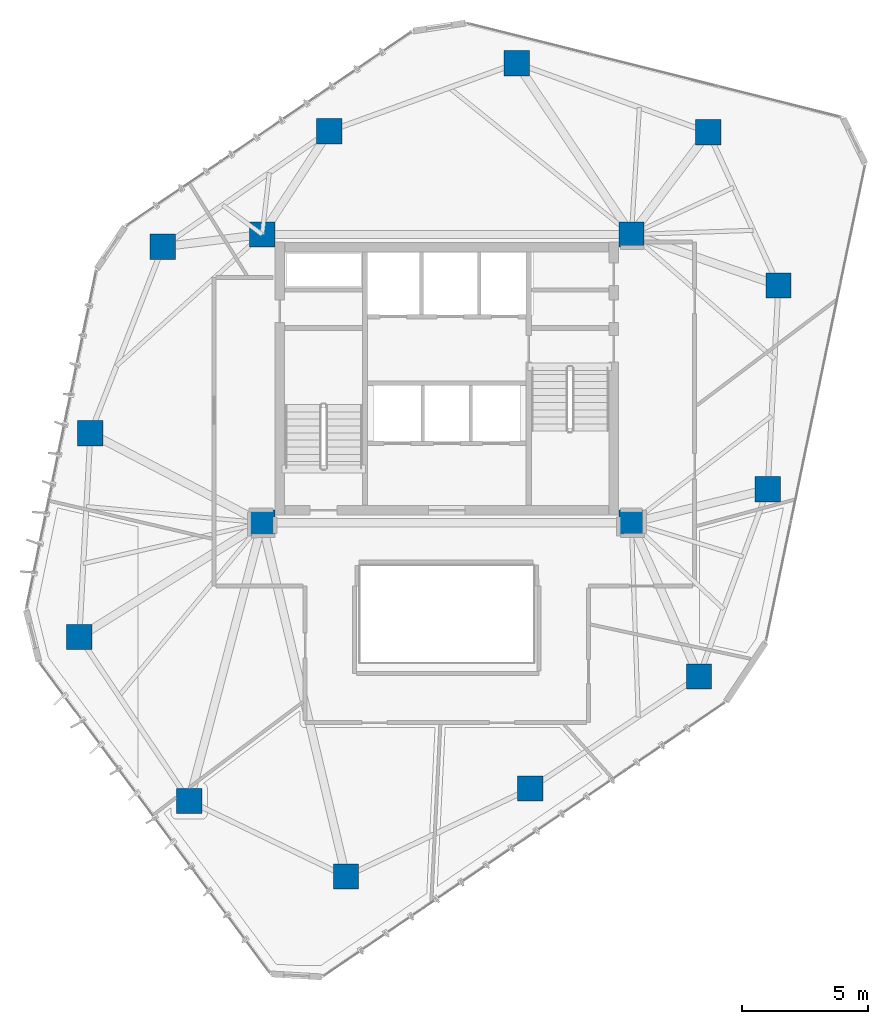
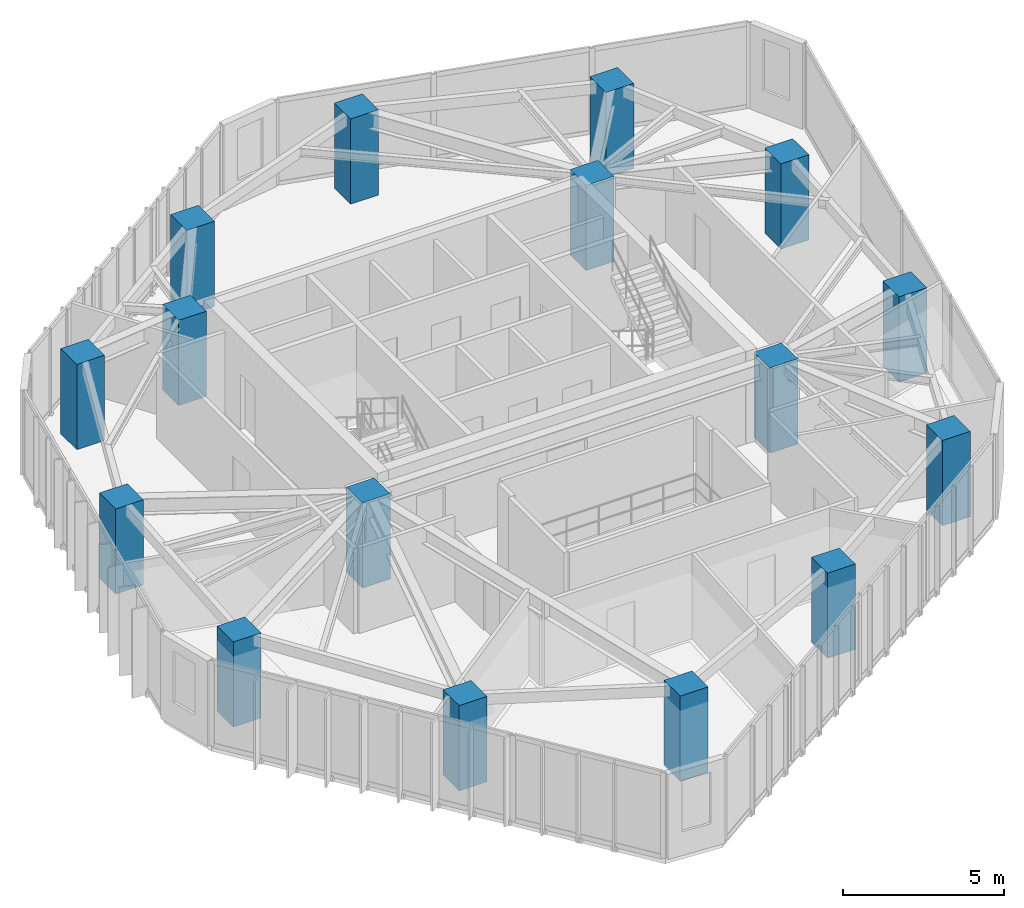
# One storey, part 1 of 20: 16 columns.
"""IFC4 building model written with IfcOpenShell, lengths in metres."""

from ifc_helpers import new_model, si_unit, direction, frame, origin, origin_2d, place, context, subcontext, project, spatial, rectangle, extrude, material, material_profile, profile_set, type_object, element, save


model = new_model("IFC4")

# Units and contexts
model_context = context("Model", 3, precision=1e-05, world=origin(), true_north=direction((0.0, 1.0)))
body_context = subcontext(model_context, "Body", "Model", "MODEL_VIEW")
ifc_project = project(units=[si_unit("LENGTHUNIT", "METRE"), si_unit("AREAUNIT", "SQUARE_METRE"), si_unit("VOLUMEUNIT", "CUBIC_METRE"), si_unit("PLANEANGLEUNIT", "RADIAN"), si_unit("MASSUNIT", "GRAM", prefix="KILO")], contexts=[model_context])

# Site, building, storey
site_placement = place(None, origin())
site = spatial("IfcSite", under=ifc_project, at=site_placement, CompositionType="ELEMENT")
building_placement = place(site_placement, origin())
building = spatial("IfcBuilding", under=site, at=building_placement, Name="Talar Marvaseh", CompositionType="ELEMENT")
storey_placement = place(building_placement, frame((0.0, 0.0, 191.5)))
storey = spatial("IfcBuildingStorey", under=building, at=storey_placement, Name="L50", CompositionType="ELEMENT", Elevation=191.5)

# Columns
ifc_material = material(Name="Concrete C60/75", Category="concrete")
ifc_material_profile = material_profile(ifc_material, rectangle(XDim=1.0, YDim=1.0, at=origin_2d()), Name="RC1000x1000")
ifc_profile_set = profile_set([ifc_material_profile], Name="Concrete C60/75")
column_type = type_object("IfcColumnType", Name="Zone 3 Tube Column RC1000x1000", PredefinedType="COLUMN", material=ifc_profile_set)
for number, where, z_axis, x_axis, name in (
    (1, (28.76611328125, 43.66796875, 0.0), (0.0, 0.0, 1.0), (1.0, 0.0, 0.0), "L50 Zone 3 Tube Column RC1000x1000"),
    (2, (36.341064453125, 40.94189453125, 0.0), (0.0, 0.0, 1.0), (1.0, 0.0, 0.0), "L50 Zone 3 Tube Column RC1000x1000"),
    (3, (39.113037109375, 34.884033203125, 0.0), (0.0, 0.0, 1.0), (1.0, 0.0, 0.0), "L50 Zone 3 Tube Column RC1000x1000"),
    (4, (38.68896484375, 26.823974609375, 0.0), (0.0, 0.0, 1.0), (1.0, 0.0, 0.0), "L50 Zone 3 Tube Column RC1000x1000"),
    (5, (35.970947265625, 19.423095703125, 0.0), (0.0, 0.0, 1.0), (1.0, 0.0, 0.0), "L50 Zone 3 Tube Column RC1000x1000"),
    (6, (29.299072265625, 14.993896484375, 0.0), (0.0, 0.0, 1.0), (1.0, 0.0, 0.0), "L50 Zone 3 Tube Column RC1000x1000"),
    (7, (22.014892578125, 11.51904296875, 0.0), (0.0, 0.0, 1.0), (1.0, 0.0, 0.0), "L50 Zone 3 Tube Column RC1000x1000"),
    (8, (15.819091796875, 14.5009765625, 0.0), (0.0, 0.0, 1.0), (1.0, 0.0, 0.0), "L50 Zone 3 Tube Column RC1000x1000"),
    (9, (11.471923828125, 20.986083984375, 0.0), (0.0, 0.0, 1.0), (1.0, 0.0, 0.0), "L50 Zone 3 Tube Column RC1000x1000"),
    (10, (11.908935546875, 29.044921875, 0.0), (0.0, 0.0, 1.0), (1.0, 0.0, 0.0), "L50 Zone 3 Tube Column RC1000x1000"),
    (11, (14.77294921875, 36.416015625, 0.0), (0.0, 0.0, 1.0), (1.0, 0.0, 0.0), "L50 Zone 3 Tube Column RC1000x1000"),
    (12, (21.35205078125, 40.986083984375, 0.0), (0.0, 0.0, 1.0), (1.0, 0.0, 0.0), "L50 Zone 3 Tube Column RC1000x1000"),
    (13, (18.699951171875, 25.5, 0.0), (0.0, 0.0, 1.0), (1.0, 0.0, 0.0), "L50 Zone 3 Tube Column RC1000x1000"),
    (14, (33.300048828125, 25.5, 0.0), (0.0, 0.0, 1.0), (1.0, 0.0, 0.0), "L50 Zone 3 Tube Column RC1000x1000"),
    (15, (33.300048828125, 36.89990234375, 0.0), (0.0, 0.0, 1.0), (1.0, 0.0, 0.0), "L50 Zone 3 Tube Column RC1000x1000"),
    (16, (18.699951171875, 36.89990234375, 0.0), (0.0, 0.0, 1.0), (1.0, 0.0, 0.0), "L50 Zone 3 Tube Column RC1000x1000"),
):
    element("IfcColumn", number, at=place(storey_placement, frame(where, z_axis=z_axis, x_axis=x_axis)), inside=storey, type_object=column_type, Name=name, PredefinedType="COLUMN", context=body_context, shape_type="SweptSolid", body=[
        extrude(rectangle(XDim=1.0, YDim=1.0, at=origin_2d()), origin(), (0.0, 0.0, 1.0), 3.22998046875),
    ])

save(model, "model.ifc")
